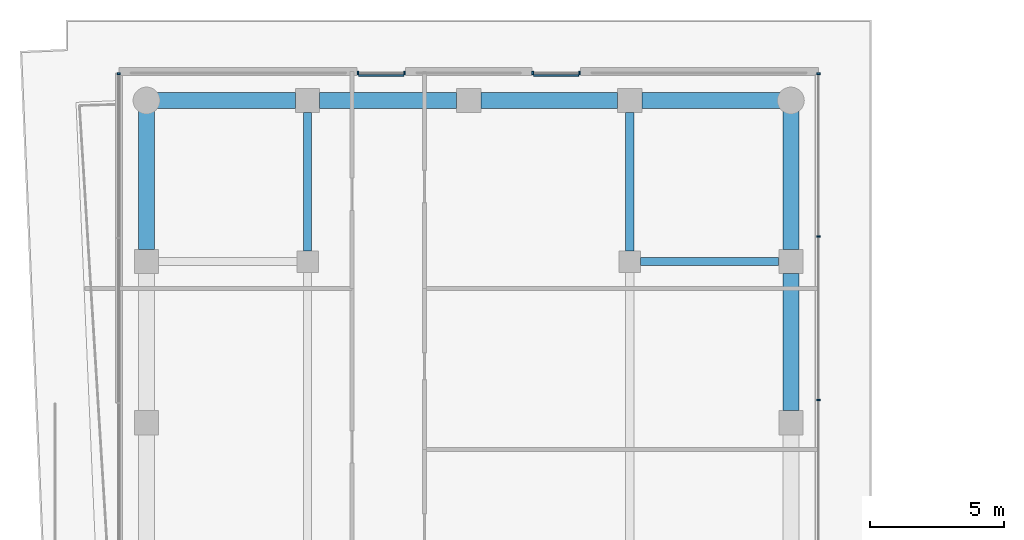
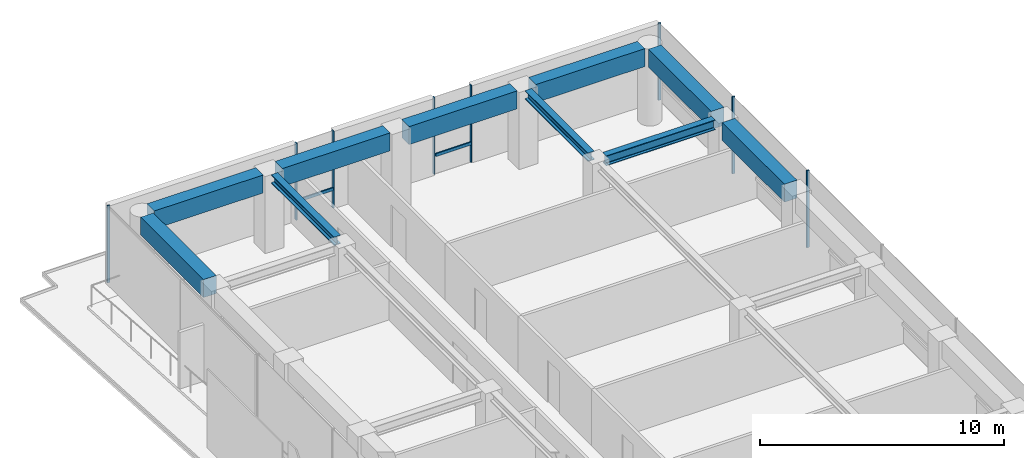
# One storey, part 17 of 24: 10 beams, 10 members, 4 elements without a shape of their own.
"""IFC4 building model written with IfcOpenShell, lengths in metres."""

from ifc_helpers import new_model, si_unit, direction, frame, origin, origin_2d, place, context, subcontext, project, spatial, rectangle, i_section, extrude, material, layer, layer_set, material_profile, profile_set, type_object, element, aggregate, save


model = new_model("IFC4")

# Units and contexts
model_context = context("Model", 3, precision=1e-05, world=origin(), true_north=direction((0.0, 1.0)))
body_context = subcontext(model_context, "Body", "Model", "MODEL_VIEW")
ifc_project = project(units=[si_unit("LENGTHUNIT", "METRE"), si_unit("AREAUNIT", "SQUARE_METRE"), si_unit("VOLUMEUNIT", "CUBIC_METRE"), si_unit("PLANEANGLEUNIT", "RADIAN"), si_unit("MASSUNIT", "GRAM", prefix="KILO")], contexts=[model_context])

# Site, building, storey
site_placement = place(None, origin())
site = spatial("IfcSite", under=ifc_project, at=site_placement, CompositionType="ELEMENT")
building_placement = place(site_placement, origin())
building = spatial("IfcBuilding", under=site, at=building_placement, Name="Welwitschia Terrace Campus", CompositionType="ELEMENT")
storey_placement = place(building_placement, frame((0.0, 0.0, 100.39990234375)))
storey = spatial("IfcBuildingStorey", under=building, at=storey_placement, Name="L22", CompositionType="ELEMENT", Elevation=100.39990234375)

# Beams
ifc_material_1 = material(Name="Steel S355", Category="steel")
ifc_material_profile_1 = material_profile(ifc_material_1, i_section(OverallWidth=0.306884765625, OverallDepth=0.431884765625, WebThickness=0.02099609375, FlangeThickness=0.0400390625, FilletRadius=0.027099609375, at=origin_2d()))
ifc_profile_set_1 = profile_set([ifc_material_profile_1], Name="Steel S355")
beam_type_1 = type_object("IfcBeamType", Name="Interior girder HE 400 M", PredefinedType="BEAM", material=ifc_profile_set_1)
for number, where, z_axis, x_axis, name in (
    (1, (6.0, 64.400390625, 3.634033203125), (0.0, 1.0, 0.0), (-1.0, 0.0, 0.0), "Girder GB3"),
    (2, (18.0, 64.400390625, 3.634033203125), (0.0, 1.0, 0.0), (-1.0, 0.0, 0.0), "Girder GB3"),
):
    element("IfcBeam", number, at=place(storey_placement, frame(where, z_axis=z_axis, x_axis=x_axis)), inside=storey, type_object=beam_type_1, Name=name, PredefinedType="BEAM", context=body_context, shape_type="SweptSolid", body=[
        extrude(i_section(OverallWidth=0.306884765625, OverallDepth=0.431884765625, WebThickness=0.02099609375, FlangeThickness=0.0400390625, FilletRadius=0.027099609375, at=origin_2d()), origin(), (0.0, 0.0, 1.0), 5.1591796875),
    ])

# Curtain wall, members
ifc_material_2 = material(Name="Bronze anodised aluminium", Category="aluminium")
ifc_layer = layer(ifc_material_2, 0.1201171875)
ifc_layer_set = layer_set([ifc_layer], Name="Bronze anodised aluminium")
curtain_wall_type = type_object("IfcCurtainWallType", Name="Curtain wall CW2 tower 6000", PredefinedType="NOTDEFINED", material=ifc_layer_set)
curtain_wall_1_placement = place(storey_placement, origin())
curtain_wall_1 = element("IfcCurtainWall", 3, at=curtain_wall_1_placement, inside=storey, type_object=curtain_wall_type, Name="CW L22.9.0", PredefinedType="NOTDEFINED")
ifc_material_3 = material(Name="Bronze anodised aluminium", Category="aluminium")
ifc_material_profile_2 = material_profile(ifc_material_3, rectangle(XDim=0.1201171875, YDim=0.06005859375, at=origin_2d()))
ifc_profile_set_2 = profile_set([ifc_material_profile_2], Name="Bronze anodised aluminium")
member_type_1 = type_object("IfcMemberType", Name="Mullion 60x120", PredefinedType="MULLION", material=ifc_profile_set_2)
member_1_placement = place(storey_placement, frame((25.030029296875, 58.845458984375, 0.0), z_axis=(0.0, 0.0, 1.0), x_axis=(-1.0, 0.0, 0.0)))
member_1 = element("IfcMember", 4, at=member_1_placement, type_object=member_type_1, Name="Mullion L22.9.0.4", PredefinedType="MULLION", context=body_context, shape_type="SweptSolid", body=[
    extrude(rectangle(XDim=0.1201171875, YDim=0.06005859375, at=origin_2d()), origin(), (0.0, 0.0, 1.0), 3.85009765625),
])
member_2_placement = place(storey_placement, frame((25.030029296875, 64.937744140625, 0.0), z_axis=(0.0, 0.0, 1.0), x_axis=(-1.0, 0.0, 0.0)))
member_2 = element("IfcMember", 5, at=member_2_placement, type_object=member_type_1, Name="Mullion L22.9.0.5", PredefinedType="MULLION", context=body_context, shape_type="SweptSolid", body=[
    extrude(rectangle(XDim=0.1201171875, YDim=0.06005859375, at=origin_2d()), origin(), (0.0, 0.0, 1.0), 3.85009765625),
])
member_3_placement = place(storey_placement, frame((25.030029296875, 71.0, 0.0), z_axis=(0.0, 0.0, 1.0), x_axis=(-1.0, 0.0, 0.0)))
member_3 = element("IfcMember", 6, at=member_3_placement, type_object=member_type_1, Name="Mullion L22.9.0.6", PredefinedType="MULLION", context=body_context, shape_type="SweptSolid", body=[
    extrude(rectangle(XDim=0.1201171875, YDim=0.06005859375, at=origin_2d()), origin(), (0.0, 0.0, 1.0), 3.85009765625),
])
aggregate(curtain_wall_1, [member_1, member_2, member_3])

curtain_wall_2_placement = place(storey_placement, origin())
curtain_wall_2 = element("IfcCurtainWall", 7, at=curtain_wall_2_placement, inside=storey, type_object=curtain_wall_type, Name="CW L22.10.S0", PredefinedType="NOTDEFINED")
member_4_placement = place(storey_placement, frame((16.12744140625, 71.030029296875, 0.0), z_axis=(0.0, 0.0, 1.0), x_axis=(0.0, -1.0, 0.0)))
member_4 = element("IfcMember", 8, at=member_4_placement, type_object=member_type_1, Name="Mullion L22.10.S0.0", PredefinedType="MULLION", context=body_context, shape_type="SweptSolid", body=[
    extrude(rectangle(XDim=0.1201171875, YDim=0.06005859375, at=origin_2d()), origin(), (0.0, 0.0, 1.0), 3.85009765625),
])
member_5_placement = place(storey_placement, frame((14.387451171875, 71.030029296875, 0.0), z_axis=(0.0, 0.0, 1.0), x_axis=(0.0, -1.0, 0.0)))
member_5 = element("IfcMember", 9, at=member_5_placement, type_object=member_type_1, Name="Mullion L22.10.S0.1", PredefinedType="MULLION", context=body_context, shape_type="SweptSolid", body=[
    extrude(rectangle(XDim=0.1201171875, YDim=0.06005859375, at=origin_2d()), origin(), (0.0, 0.0, 1.0), 3.85009765625),
])

curtain_wall_3_placement = place(storey_placement, origin())
curtain_wall_3 = element("IfcCurtainWall", 10, at=curtain_wall_3_placement, inside=storey, type_object=curtain_wall_type, Name="CW L22.10.S1", PredefinedType="NOTDEFINED")
member_6_placement = place(storey_placement, frame((9.612548828125, 71.030029296875, 0.0), z_axis=(0.0, 0.0, 1.0), x_axis=(0.0, -1.0, 0.0)))
member_6 = element("IfcMember", 11, at=member_6_placement, type_object=member_type_1, Name="Mullion L22.10.S1.0", PredefinedType="MULLION", context=body_context, shape_type="SweptSolid", body=[
    extrude(rectangle(XDim=0.1201171875, YDim=0.06005859375, at=origin_2d()), origin(), (0.0, 0.0, 1.0), 3.85009765625),
])
member_7_placement = place(storey_placement, frame((7.87255859375, 71.030029296875, 0.0), z_axis=(0.0, 0.0, 1.0), x_axis=(0.0, -1.0, 0.0)))
member_7 = element("IfcMember", 12, at=member_7_placement, type_object=member_type_1, Name="Mullion L22.10.S1.1", PredefinedType="MULLION", context=body_context, shape_type="SweptSolid", body=[
    extrude(rectangle(XDim=0.1201171875, YDim=0.06005859375, at=origin_2d()), origin(), (0.0, 0.0, 1.0), 3.85009765625),
])

# Curtain wall, member
curtain_wall_4_placement = place(storey_placement, origin())
curtain_wall_4 = element("IfcCurtainWall", 13, at=curtain_wall_4_placement, inside=storey, type_object=curtain_wall_type, Name="CW L22.11.0", PredefinedType="NOTDEFINED")
member_8_placement = place(storey_placement, frame((-1.030029296875, 71.0, 0.0), z_axis=(0.0, 0.0, 1.0), x_axis=(1.0, 0.0, 0.0)))
member_8 = element("IfcMember", 14, at=member_8_placement, type_object=member_type_1, Name="Mullion L22.11.0.0", PredefinedType="MULLION", context=body_context, shape_type="SweptSolid", body=[
    extrude(rectangle(XDim=0.1201171875, YDim=0.06005859375, at=origin_2d()), origin(), (0.0, 0.0, 1.0), 3.85009765625),
])
aggregate(curtain_wall_4, [member_8])

# Beams
ifc_material_4 = material(Name="Steel S355", Category="steel")
ifc_material_profile_3 = material_profile(ifc_material_4, i_section(OverallWidth=0.300048828125, OverallDepth=0.5, WebThickness=0.014404296875, FlangeThickness=0.028076171875, FilletRadius=0.027099609375, at=origin_2d()))
ifc_profile_set_3 = profile_set([ifc_material_profile_3], Name="Steel S355")
beam_type_2 = type_object("IfcBeamType", Name="Primary beam HE 500 B", PredefinedType="BEAM", material=ifc_profile_set_3)
beam_1_placement = place(storey_placement, frame((23.549560546875, 64.0, 3.60009765625), z_axis=(-1.0, 0.0, 0.0), x_axis=(0.0, -1.0, 0.0)))
element("IfcBeam", 15, at=beam_1_placement, inside=storey, type_object=beam_type_2, Name="Primary beam PB3", PredefinedType="BEAM", context=body_context, shape_type="SweptSolid", body=[
    extrude(i_section(OverallWidth=0.300048828125, OverallDepth=0.5, WebThickness=0.014404296875, FlangeThickness=0.028076171875, FilletRadius=0.027099609375, at=origin_2d()), origin(), (0.0, 0.0, 1.0), 5.149169921875),
])
ifc_material_5 = material(Name="Concrete C60/75", Category="concrete")
ifc_material_profile_4 = material_profile(ifc_material_5, rectangle(XDim=0.60009765625, YDim=0.89990234375, at=origin_2d()))
ifc_profile_set_4 = profile_set([ifc_material_profile_4], Name="Concrete C60/75")
beam_type_3 = type_object("IfcBeamType", Name="Ring spandrel 600x900", PredefinedType="SPANDREL", material=ifc_profile_set_4)
beam_2_placement = place(storey_placement, frame((24.0, 58.450439453125, 3.400146484375), z_axis=(0.0, 1.0, 0.0), x_axis=(-1.0, 0.0, 0.0)))
element("IfcBeam", 16, at=beam_2_placement, inside=storey, type_object=beam_type_3, Name="Spandrel SP2", PredefinedType="SPANDREL", context=body_context, shape_type="SweptSolid", body=[
    extrude(rectangle(XDim=0.60009765625, YDim=0.89990234375, at=origin_2d()), origin(), (0.0, 0.0, 1.0), 5.09912109375),
])
for number, where, z_axis, x_axis, name in (
    (17, (24.0, 64.450439453125, 3.400146484375), (0.0, 1.0, 0.0), (-1.0, 0.0, 0.0), "Spandrel SP2"),
    (18, (23.599609375, 70.0, 3.400146484375), (-1.0, 0.0, 0.0), (0.0, -1.0, 0.0), "Spandrel SP2"),
):
    element("IfcBeam", number, at=place(storey_placement, frame(where, z_axis=z_axis, x_axis=x_axis)), inside=storey, type_object=beam_type_3, Name=name, PredefinedType="SPANDREL", context=body_context, shape_type="SweptSolid", body=[
        extrude(rectangle(XDim=0.60009765625, YDim=0.89990234375, at=origin_2d()), origin(), (0.0, 0.0, 1.0), 5.149169921875),
    ])
for number, where, z_axis, x_axis, name in (
    (19, (17.549560546875, 70.0, 3.400146484375), (-1.0, 0.0, 0.0), (0.0, -1.0, 0.0), "Spandrel SP2"),
    (20, (11.549560546875, 70.0, 3.400146484375), (-1.0, 0.0, 0.0), (0.0, -1.0, 0.0), "Spandrel SP2"),
):
    element("IfcBeam", number, at=place(storey_placement, frame(where, z_axis=z_axis, x_axis=x_axis)), inside=storey, type_object=beam_type_3, Name=name, PredefinedType="SPANDREL", context=body_context, shape_type="SweptSolid", body=[
        extrude(rectangle(XDim=0.60009765625, YDim=0.89990234375, at=origin_2d()), origin(), (0.0, 0.0, 1.0), 5.09912109375),
    ])
for number, where, z_axis, x_axis, name in (
    (21, (5.549560546875, 70.0, 3.400146484375), (-1.0, 0.0, 0.0), (0.0, -1.0, 0.0), "Spandrel SP2"),
    (22, (0.0, 69.599609375, 3.400146484375), (0.0, -1.0, 0.0), (1.0, 0.0, 0.0), "Spandrel SP2"),
):
    element("IfcBeam", number, at=place(storey_placement, frame(where, z_axis=z_axis, x_axis=x_axis)), inside=storey, type_object=beam_type_3, Name=name, PredefinedType="SPANDREL", context=body_context, shape_type="SweptSolid", body=[
        extrude(rectangle(XDim=0.60009765625, YDim=0.89990234375, at=origin_2d()), origin(), (0.0, 0.0, 1.0), 5.149169921875),
    ])

# Member
ifc_material_6 = material(Name="Bronze anodised aluminium", Category="aluminium")
ifc_material_profile_5 = material_profile(ifc_material_6, rectangle(XDim=0.06005859375, YDim=0.14990234375, at=origin_2d()))
ifc_profile_set_5 = profile_set([ifc_material_profile_5], Name="Bronze anodised aluminium")
member_type_2 = type_object("IfcMemberType", Name="Transom 60x150", PredefinedType="USERDEFINED", material=ifc_profile_set_5)
member_9_placement = place(storey_placement, frame((16.097412109375, 70.93994140625, 1.0), z_axis=(-1.0, 0.0, 0.0), x_axis=(0.0, -1.0, 0.0)))
member_9 = element("IfcMember", 23, at=member_9_placement, type_object=member_type_2, Name="Transom L22.10.S0", ObjectType="TRANSOM", PredefinedType="USERDEFINED", context=body_context, shape_type="SweptSolid", body=[
    extrude(rectangle(XDim=0.06005859375, YDim=0.14990234375, at=origin_2d()), origin(), (0.0, 0.0, 1.0), 1.679931640625),
])

aggregate(curtain_wall_2, [member_4, member_5, member_9])

member_10_placement = place(storey_placement, frame((9.58251953125, 70.93994140625, 1.0), z_axis=(-1.0, 0.0, 0.0), x_axis=(0.0, -1.0, 0.0)))
member_10 = element("IfcMember", 24, at=member_10_placement, type_object=member_type_2, Name="Transom L22.10.S1", ObjectType="TRANSOM", PredefinedType="USERDEFINED", context=body_context, shape_type="SweptSolid", body=[
    extrude(rectangle(XDim=0.06005859375, YDim=0.14990234375, at=origin_2d()), origin(), (0.0, 0.0, 1.0), 1.679931640625),
])

aggregate(curtain_wall_3, [member_6, member_7, member_10])

save(model, "model.ifc")
